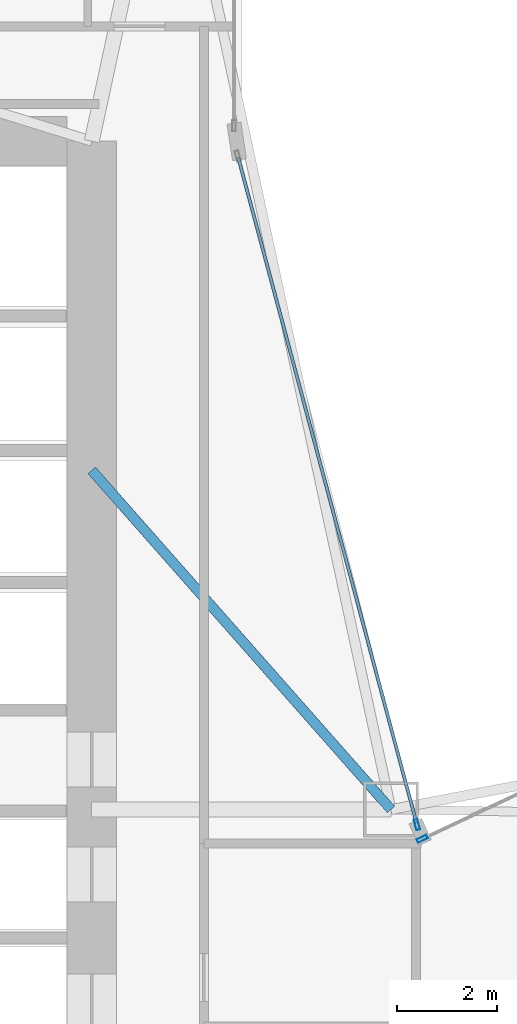
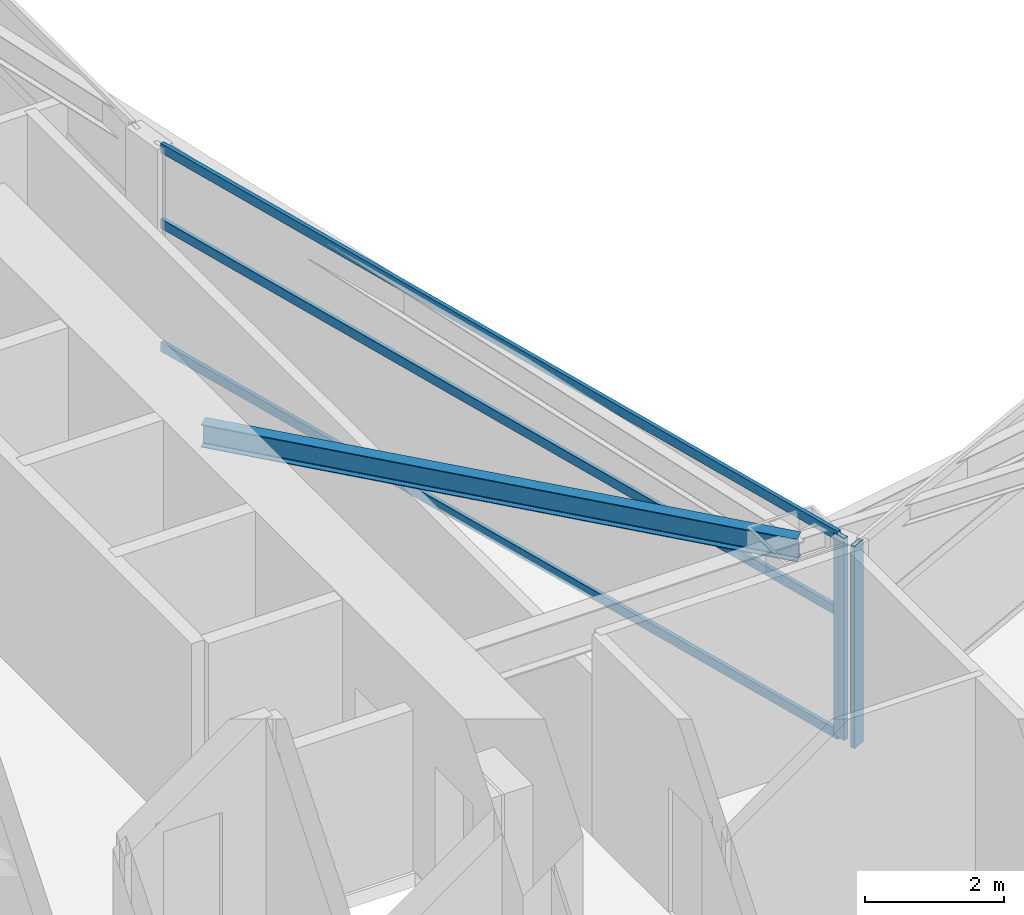
# One storey, part 10 of 30: 5 members, 1 beam, 2 elements without a shape of their own.
"""IFC4 building model written with IfcOpenShell, lengths in metres."""

from ifc_helpers import new_model, si_unit, direction, frame, origin, origin_2d, place, context, subcontext, project, spatial, hollow_rectangle, i_section, extrude, material, layer, layer_set, material_profile, profile_set, type_object, element, aggregate, save


model = new_model("IFC4")

# Units and contexts
model_context = context("Model", 3, precision=1e-05, world=origin(), true_north=direction((0.0, 1.0)))
body_context = subcontext(model_context, "Body", "Model", "MODEL_VIEW")
ifc_project = project(units=[si_unit("LENGTHUNIT", "METRE"), si_unit("AREAUNIT", "SQUARE_METRE"), si_unit("VOLUMEUNIT", "CUBIC_METRE"), si_unit("PLANEANGLEUNIT", "RADIAN"), si_unit("MASSUNIT", "GRAM", prefix="KILO")], contexts=[model_context])

# Site, building, storey
site_placement = place(None, origin())
site = spatial("IfcSite", under=ifc_project, at=site_placement, CompositionType="ELEMENT")
building_placement = place(site_placement, origin())
building = spatial("IfcBuilding", under=site, at=building_placement, Name="Calvorn Quay Hotel", CompositionType="ELEMENT")
storey_placement = place(building_placement, frame((0.0, 0.0, 73.60009765625)))
storey = spatial("IfcBuildingStorey", under=building, at=storey_placement, Name="L17", CompositionType="ELEMENT", Elevation=73.60009765625)

# Beam
ifc_material_1 = material(Name="Steel Q355B", Category="steel")
ifc_material_profile_1 = material_profile(ifc_material_1, i_section(OverallWidth=0.199951171875, OverallDepth=0.39990234375, WebThickness=0.008056640625, FlangeThickness=0.012939453125, FilletRadius=0.01611328125, at=origin_2d()), Name="HN400x200x8x13")
ifc_profile_set_1 = profile_set([ifc_material_profile_1], Name="Steel Q355B")
beam_type = type_object("IfcBeamType", Name="BM-JOIST-TYP", PredefinedType="JOIST", material=ifc_profile_set_1)
beam_placement = place(storey_placement, frame((15.0, 31.800048828125, 3.33984375), z_axis=(0.661618965899, -0.749840212287, 0.0), x_axis=(0.749840212287, 0.661618965899, 0.0)))
element("IfcBeam", 1, at=beam_placement, inside=storey, type_object=beam_type, Name="Beam BJ-L17-C1", PredefinedType="JOIST", context=body_context, shape_type="SweptSolid", body=[
    extrude(i_section(OverallWidth=0.199951171875, OverallDepth=0.39990234375, WebThickness=0.008056640625, FlangeThickness=0.012939453125, FilletRadius=0.01611328125, at=origin_2d()), origin(), (0.0, 0.0, 1.0), 9.068603515625),
])

# Curtain wall, member
ifc_material_2 = material(Name="Pale Anodised Aluminium and Low-E Glass", Category="aluminium")
ifc_layer = layer(ifc_material_2, 0.219970703125)
ifc_layer_set = layer_set([ifc_layer], Name="CW-SYS-Z1")
curtain_wall_type = type_object("IfcCurtainWallType", Name="CW-SYS-Z1", PredefinedType="NOTDEFINED", material=ifc_layer_set)
curtain_wall_1_placement = place(storey_placement, origin())
curtain_wall_1 = element("IfcCurtainWall", 2, at=curtain_wall_1_placement, inside=storey, type_object=curtain_wall_type, Name="Inner Court Curtain Wall L17-NE1", PredefinedType="NOTDEFINED")
ifc_material_3 = material(Name="Pale Anodised Aluminium 6063-T6", Category="aluminium")
ifc_material_profile_2 = material_profile(ifc_material_3, hollow_rectangle(XDim=0.074951171875, YDim=0.219970703125, WallThickness=0.00439453125, at=origin_2d()), Name="ALU-M220x75x4.5")
ifc_profile_set_2 = profile_set([ifc_material_profile_2], Name="Pale Anodised Aluminium 6063-T6")
member_type_1 = type_object("IfcMemberType", Name="CW-SYS-Z1-MUL", PredefinedType="MULLION", material=ifc_profile_set_2)
member_1_placement = place(storey_placement, frame((21.627197265625, 24.412841796875, 0.0), z_axis=(0.0, 0.0, 1.0), x_axis=(0.427006305415, -0.904248646743, 0.0)))
member_1 = element("IfcMember", 3, at=member_1_placement, type_object=member_type_1, Name="CW-L17-NE1 mullion 4", PredefinedType="MULLION", context=body_context, shape_type="SweptSolid", body=[
    extrude(hollow_rectangle(XDim=0.074951171875, YDim=0.219970703125, WallThickness=0.00439453125, at=origin_2d()), origin(), (0.0, 0.0, 1.0), 3.559814453125),
])
aggregate(curtain_wall_1, [member_1])

# Curtain wall, members
curtain_wall_2_placement = place(storey_placement, origin())
curtain_wall_2 = element("IfcCurtainWall", 4, at=curtain_wall_2_placement, inside=storey, type_object=curtain_wall_type, Name="Inner Court Curtain Wall L17-IC1", PredefinedType="NOTDEFINED")
member_2_placement = place(storey_placement, frame((21.520263671875, 24.698974609375, 0.0), z_axis=(0.0, 0.0, 1.0), x_axis=(-0.96593652056, -0.25877913024, 0.0)))
member_2 = element("IfcMember", 5, at=member_2_placement, type_object=member_type_1, Name="CW-L17-IC1 mullion 1", PredefinedType="MULLION", context=body_context, shape_type="SweptSolid", body=[
    extrude(hollow_rectangle(XDim=0.074951171875, YDim=0.219970703125, WallThickness=0.00439453125, at=origin_2d()), origin(), (0.0, 0.0, 1.0), 3.559814453125),
])
ifc_material_4 = material(Name="Pale Anodised Aluminium 6063-T6", Category="aluminium")
ifc_material_profile_3 = material_profile(ifc_material_4, hollow_rectangle(XDim=0.06494140625, YDim=0.1650390625, WallThickness=0.00341796875, at=origin_2d()), Name="ALU-T165x65x3.5")
ifc_profile_set_3 = profile_set([ifc_material_profile_3], Name="Pale Anodised Aluminium 6063-T6")
member_type_2 = type_object("IfcMemberType", Name="CW-SYS-Z1-TRN", PredefinedType="USERDEFINED", material=ifc_profile_set_3)
member_3_placement = place(storey_placement, frame((21.512451171875, 24.72802734375, 0.02978515625), z_axis=(-0.258781136883, 0.965935982969, 0.0), x_axis=(-0.965935982969, -0.258781136883, 0.0)))
member_3 = element("IfcMember", 6, at=member_3_placement, type_object=member_type_2, Name="CW-L17-IC1 transom 1.1", ObjectType="TRANSOM", PredefinedType="USERDEFINED", context=body_context, shape_type="SweptSolid", body=[
    extrude(hollow_rectangle(XDim=0.06494140625, YDim=0.1650390625, WallThickness=0.00341796875, at=origin_2d()), origin(), (0.0, 0.0, 1.0), 13.814453125),
])
member_4_placement = place(storey_placement, frame((21.512451171875, 24.72802734375, 2.199951171875), z_axis=(-0.258781136883, 0.965935982969, 0.0), x_axis=(-0.965935982969, -0.258781136883, 0.0)))
member_4 = element("IfcMember", 7, at=member_4_placement, type_object=member_type_2, Name="CW-L17-IC1 transom 1.2", ObjectType="TRANSOM", PredefinedType="USERDEFINED", context=body_context, shape_type="SweptSolid", body=[
    extrude(hollow_rectangle(XDim=0.06494140625, YDim=0.1650390625, WallThickness=0.00341796875, at=origin_2d()), origin(), (0.0, 0.0, 1.0), 13.814453125),
])
member_5_placement = place(storey_placement, frame((21.512451171875, 24.72802734375, 3.52978515625), z_axis=(-0.258781136883, 0.965935982969, 0.0), x_axis=(-0.965935982969, -0.258781136883, 0.0)))
member_5 = element("IfcMember", 8, at=member_5_placement, type_object=member_type_2, Name="CW-L17-IC1 transom 1.3", ObjectType="TRANSOM", PredefinedType="USERDEFINED", context=body_context, shape_type="SweptSolid", body=[
    extrude(hollow_rectangle(XDim=0.06494140625, YDim=0.1650390625, WallThickness=0.00341796875, at=origin_2d()), origin(), (0.0, 0.0, 1.0), 13.814453125),
])
aggregate(curtain_wall_2, [member_2, member_3, member_4, member_5])

save(model, "model.ifc")
